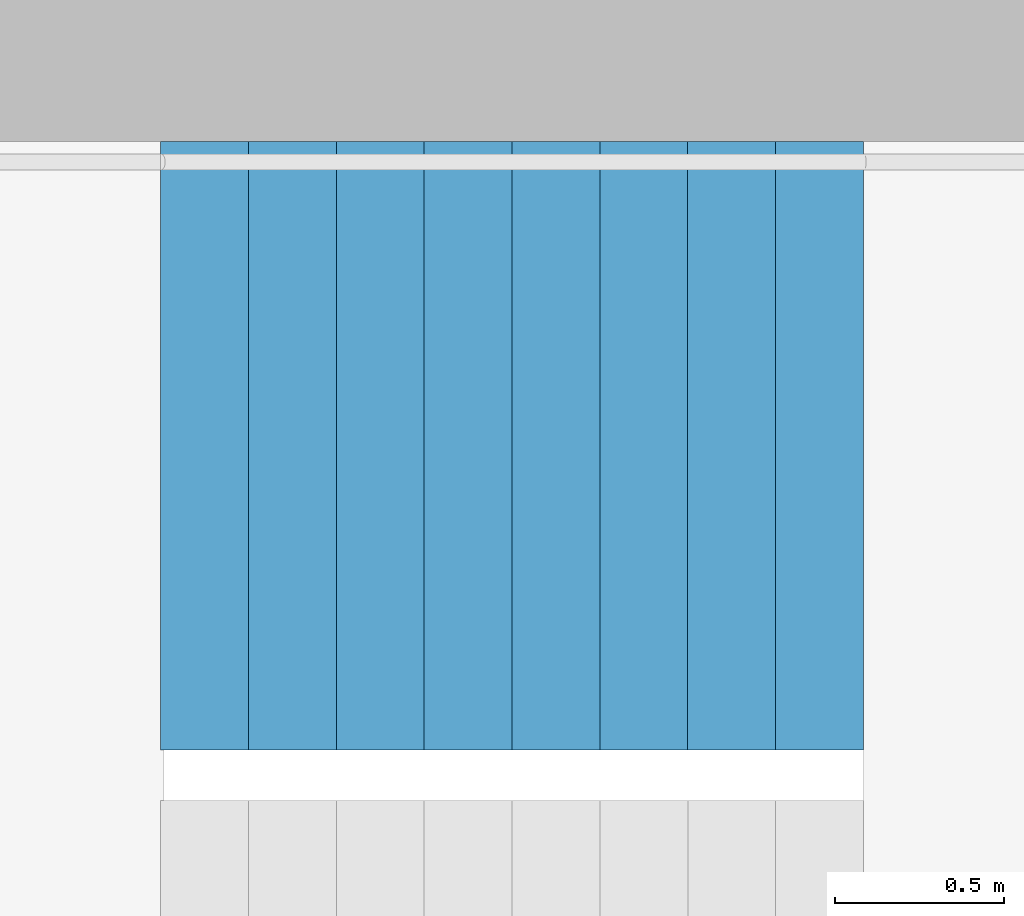
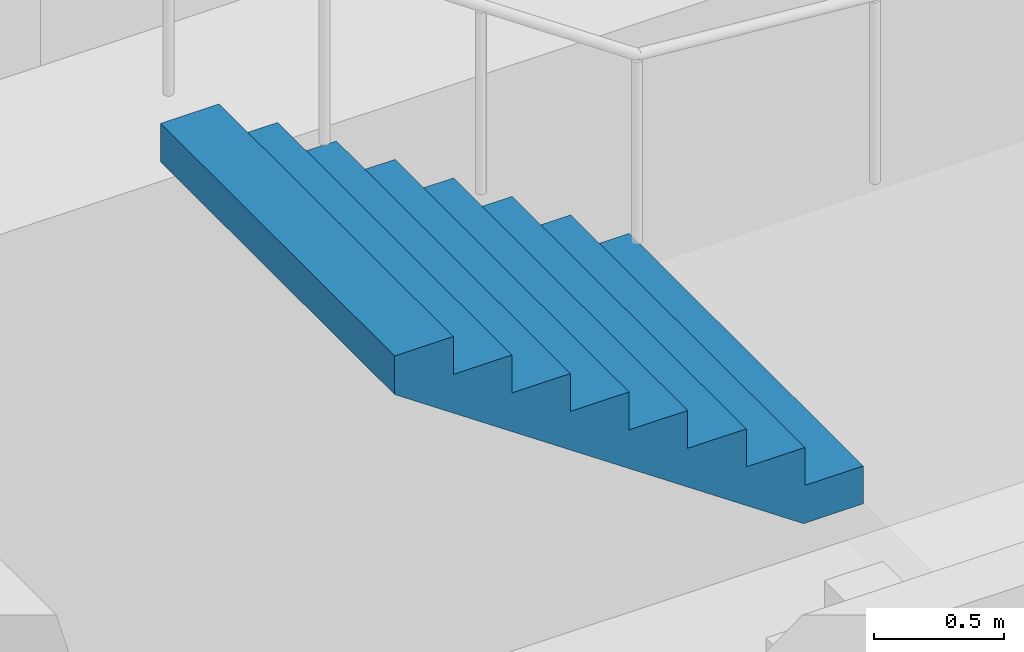
# One storey, part 20 of 25: 1 stair flight, 1 element without a shape of its own.
"""IFC4 building model written with IfcOpenShell, lengths in metres."""

from ifc_helpers import new_model, si_unit, direction, frame, origin, place, context, subcontext, project, spatial, triangles, material, type_object, element, aggregate, save


model = new_model("IFC4")

# Units and contexts
model_context = context("Model", 3, precision=1e-05, world=origin(), true_north=direction((0.0, 1.0)))
body_context = subcontext(model_context, "Body", "Model", "MODEL_VIEW")
ifc_project = project(units=[si_unit("LENGTHUNIT", "METRE"), si_unit("AREAUNIT", "SQUARE_METRE"), si_unit("VOLUMEUNIT", "CUBIC_METRE"), si_unit("PLANEANGLEUNIT", "RADIAN"), si_unit("MASSUNIT", "GRAM", prefix="KILO")], contexts=[model_context])

# Site, building, storey
site_placement = place(None, origin())
site = spatial("IfcSite", under=ifc_project, at=site_placement, CompositionType="ELEMENT")
building_placement = place(site_placement, origin())
building = spatial("IfcBuilding", under=site, at=building_placement, Name="Hakoniwa Tower and Hamabe Station Hall", CompositionType="ELEMENT")
storey_placement = place(building_placement, frame((0.0, 0.0, 147.0)))
storey = spatial("IfcBuildingStorey", under=building, at=storey_placement, Name="L41", CompositionType="ELEMENT", Elevation=147.0)

# Stair, stair flight
ifc_material_1 = material(Name="Concrete C40", Category="concrete")
stair_type = type_object("IfcStairType", Name="ESCAPE STAIR 1800", PredefinedType="HALF_TURN_STAIR", material=ifc_material_1)
stair_placement = place(storey_placement, origin())
stair = element("IfcStair", 1, at=stair_placement, inside=storey, type_object=stair_type, Name="Escape stair ST-1 L41", PredefinedType="HALF_TURN_STAIR")
ifc_material_2 = material(Name="Concrete C40", Category="concrete")
stair_flight_type = type_object("IfcStairFlightType", Name="STAIR FLIGHT 1800", PredefinedType="STRAIGHT", material=ifc_material_2)
stair_flight_placement = place(storey_placement, frame((-22.320068359375, 6.60009765625, 1.60009765625), z_axis=(0.0, 0.0, 1.0), x_axis=(-1.0, 0.0, 0.0)))
stair_flight = element("IfcStairFlight", 2, at=stair_flight_placement, type_object=stair_flight_type, Name="ST-1 flight 2", NumberOfRisers=9, NumberOfTreads=8, PredefinedType="STRAIGHT", RiserHeight=0.177777778, TreadLength=0.26, context=body_context, shape_type="Tessellation", body=[
    triangles([(0.0, 0.89990234375, 0.0), (0.260009765625, 0.89990234375, 0.0), (0.265625, 0.89990234375, 0.0), (0.52001953125, 0.89990234375, 0.174072265625), (0.780029296875, 0.89990234375, 0.351806640625), (1.0400390625, 0.89990234375, 0.529541015625), (1.300048828125, 0.89990234375, 0.707275390625), (1.56005859375, 0.89990234375, 0.885009765625), (1.820068359375, 0.89990234375, 1.062744140625), (2.080078125, 0.89990234375, 1.24072265625), (2.080078125, 0.89990234375, 1.422119140625), (1.820068359375, 0.89990234375, 1.422119140625), (1.820068359375, 0.89990234375, 1.244384765625), (1.56005859375, 0.89990234375, 1.244384765625), (1.56005859375, 0.89990234375, 1.066650390625), (1.300048828125, 0.89990234375, 1.066650390625), (1.300048828125, 0.89990234375, 0.888916015625), (1.0400390625, 0.89990234375, 0.888916015625), (1.0400390625, 0.89990234375, 0.711181640625), (0.780029296875, 0.89990234375, 0.711181640625), (0.780029296875, 0.89990234375, 0.533447265625), (0.52001953125, 0.89990234375, 0.533447265625), (0.52001953125, 0.89990234375, 0.35546875), (0.265625, 0.89990234375, 0.35546875), (0.260009765625, 0.89990234375, 0.35546875), (0.260009765625, 0.89990234375, 0.177734375), (0.0, 0.89990234375, 0.177734375), (0.0, 0.06005859375, 0.0), (0.260009765625, 0.06005859375, 0.0), (0.265625, 0.06005859375, 0.0), (0.52001953125, 0.06005859375, 0.174072265625), (0.780029296875, 0.06005859375, 0.351806640625), (1.0400390625, 0.06005859375, 0.529541015625), (1.300048828125, 0.06005859375, 0.707275390625), (1.56005859375, 0.06005859375, 0.885009765625), (1.820068359375, 0.06005859375, 1.062744140625), (2.080078125, 0.06005859375, 1.24072265625), (2.080078125, 0.06005859375, 1.422119140625), (1.820068359375, 0.06005859375, 1.422119140625), (1.820068359375, 0.06005859375, 1.244384765625), (1.56005859375, 0.06005859375, 1.244384765625), (1.56005859375, 0.06005859375, 1.066650390625), (1.300048828125, 0.06005859375, 1.066650390625), (1.300048828125, 0.06005859375, 0.888916015625), (1.0400390625, 0.06005859375, 0.888916015625), (1.0400390625, 0.06005859375, 0.711181640625), (0.780029296875, 0.06005859375, 0.711181640625), (0.780029296875, 0.06005859375, 0.533447265625), (0.52001953125, 0.06005859375, 0.533447265625), (0.52001953125, 0.06005859375, 0.35546875), (0.265625, 0.06005859375, 0.35546875), (0.260009765625, 0.06005859375, 0.35546875), (0.260009765625, 0.06005859375, 0.177734375), (0.0, 0.06005859375, 0.177734375), (0.0, 0.04296875, 0.0), (0.260009765625, 0.04296875, 0.0), (0.265625, 0.04296875, 0.0), (0.52001953125, 0.04296875, 0.174072265625), (0.780029296875, 0.04296875, 0.351806640625), (1.0400390625, 0.04296875, 0.529541015625), (1.300048828125, 0.04296875, 0.707275390625), (1.56005859375, 0.04296875, 0.885009765625), (1.820068359375, 0.04296875, 1.062744140625), (2.080078125, 0.04296875, 1.24072265625), (2.080078125, 0.04296875, 1.422119140625), (1.820068359375, 0.04296875, 1.422119140625), (1.820068359375, 0.04296875, 1.244384765625), (1.56005859375, 0.04296875, 1.244384765625), (1.56005859375, 0.04296875, 1.066650390625), (1.300048828125, 0.04296875, 1.066650390625), (1.300048828125, 0.04296875, 0.888916015625), (1.0400390625, 0.04296875, 0.888916015625), (1.0400390625, 0.04296875, 0.711181640625), (0.780029296875, 0.04296875, 0.711181640625), (0.780029296875, 0.04296875, 0.533447265625), (0.52001953125, 0.04296875, 0.533447265625), (0.52001953125, 0.04296875, 0.35546875), (0.265625, 0.04296875, 0.35546875), (0.260009765625, 0.04296875, 0.35546875), (0.260009765625, 0.04296875, 0.177734375), (0.0, 0.04296875, 0.177734375), (0.0, 0.025634765625, 0.0), (0.260009765625, 0.025634765625, 0.0), (0.265625, 0.025634765625, 0.0), (0.52001953125, 0.025634765625, 0.174072265625), (0.780029296875, 0.025634765625, 0.351806640625), (1.0400390625, 0.025634765625, 0.529541015625), (1.300048828125, 0.025634765625, 0.707275390625), (1.56005859375, 0.025634765625, 0.885009765625), (1.820068359375, 0.025634765625, 1.062744140625), (2.080078125, 0.025634765625, 1.24072265625), (2.080078125, 0.025634765625, 1.422119140625), (1.820068359375, 0.025634765625, 1.422119140625), (1.820068359375, 0.025634765625, 1.244384765625), (1.56005859375, 0.025634765625, 1.244384765625), (1.56005859375, 0.025634765625, 1.066650390625), (1.300048828125, 0.025634765625, 1.066650390625), (1.300048828125, 0.025634765625, 0.888916015625), (1.0400390625, 0.025634765625, 0.888916015625), (1.0400390625, 0.025634765625, 0.711181640625), (0.780029296875, 0.025634765625, 0.711181640625), (0.780029296875, 0.025634765625, 0.533447265625), (0.52001953125, 0.025634765625, 0.533447265625), (0.52001953125, 0.025634765625, 0.35546875), (0.265625, 0.025634765625, 0.35546875), (0.260009765625, 0.025634765625, 0.35546875), (0.260009765625, 0.025634765625, 0.177734375), (0.0, 0.025634765625, 0.177734375), (0.0, 0.008544921875, 0.0), (0.260009765625, 0.008544921875, 0.0), (0.265625, 0.008544921875, 0.0), (0.52001953125, 0.008544921875, 0.174072265625), (0.780029296875, 0.008544921875, 0.351806640625), (1.0400390625, 0.008544921875, 0.529541015625), (1.300048828125, 0.008544921875, 0.707275390625), (1.56005859375, 0.008544921875, 0.885009765625), (1.820068359375, 0.008544921875, 1.062744140625), (2.080078125, 0.008544921875, 1.24072265625), (2.080078125, 0.008544921875, 1.422119140625), (1.820068359375, 0.008544921875, 1.422119140625), (1.820068359375, 0.008544921875, 1.244384765625), (1.56005859375, 0.008544921875, 1.244384765625), (1.56005859375, 0.008544921875, 1.066650390625), (1.300048828125, 0.008544921875, 1.066650390625), (1.300048828125, 0.008544921875, 0.888916015625), (1.0400390625, 0.008544921875, 0.888916015625), (1.0400390625, 0.008544921875, 0.711181640625), (0.780029296875, 0.008544921875, 0.711181640625), (0.780029296875, 0.008544921875, 0.533447265625), (0.52001953125, 0.008544921875, 0.533447265625), (0.52001953125, 0.008544921875, 0.35546875), (0.265625, 0.008544921875, 0.35546875), (0.260009765625, 0.008544921875, 0.35546875), (0.260009765625, 0.008544921875, 0.177734375), (0.0, 0.008544921875, 0.177734375), (0.0, -0.008544921875, 0.0), (0.260009765625, -0.008544921875, 0.0), (0.265625, -0.008544921875, 0.0), (0.52001953125, -0.008544921875, 0.174072265625), (0.780029296875, -0.008544921875, 0.351806640625), (1.0400390625, -0.008544921875, 0.529541015625), (1.300048828125, -0.008544921875, 0.707275390625), (1.56005859375, -0.008544921875, 0.885009765625), (1.820068359375, -0.008544921875, 1.062744140625), (2.080078125, -0.008544921875, 1.24072265625), (2.080078125, -0.008544921875, 1.422119140625), (1.820068359375, -0.008544921875, 1.422119140625), (1.820068359375, -0.008544921875, 1.244384765625), (1.56005859375, -0.008544921875, 1.244384765625), (1.56005859375, -0.008544921875, 1.066650390625), (1.300048828125, -0.008544921875, 1.066650390625), (1.300048828125, -0.008544921875, 0.888916015625), (1.0400390625, -0.008544921875, 0.888916015625), (1.0400390625, -0.008544921875, 0.711181640625), (0.780029296875, -0.008544921875, 0.711181640625), (0.780029296875, -0.008544921875, 0.533447265625), (0.52001953125, -0.008544921875, 0.533447265625), (0.52001953125, -0.008544921875, 0.35546875), (0.265625, -0.008544921875, 0.35546875), (0.260009765625, -0.008544921875, 0.35546875), (0.260009765625, -0.008544921875, 0.177734375), (0.0, -0.008544921875, 0.177734375), (0.0, -0.025634765625, 0.0), (0.260009765625, -0.025634765625, 0.0), (0.265625, -0.025634765625, 0.0), (0.52001953125, -0.025634765625, 0.174072265625), (0.780029296875, -0.025634765625, 0.351806640625), (1.0400390625, -0.025634765625, 0.529541015625), (1.300048828125, -0.025634765625, 0.707275390625), (1.56005859375, -0.025634765625, 0.885009765625), (1.820068359375, -0.025634765625, 1.062744140625), (2.080078125, -0.025634765625, 1.24072265625), (2.080078125, -0.025634765625, 1.422119140625), (1.820068359375, -0.025634765625, 1.422119140625), (1.820068359375, -0.025634765625, 1.244384765625), (1.56005859375, -0.025634765625, 1.244384765625), (1.56005859375, -0.025634765625, 1.066650390625), (1.300048828125, -0.025634765625, 1.066650390625), (1.300048828125, -0.025634765625, 0.888916015625), (1.0400390625, -0.025634765625, 0.888916015625), (1.0400390625, -0.025634765625, 0.711181640625), (0.780029296875, -0.025634765625, 0.711181640625), (0.780029296875, -0.025634765625, 0.533447265625), (0.52001953125, -0.025634765625, 0.533447265625), (0.52001953125, -0.025634765625, 0.35546875), (0.265625, -0.025634765625, 0.35546875), (0.260009765625, -0.025634765625, 0.35546875), (0.260009765625, -0.025634765625, 0.177734375), (0.0, -0.025634765625, 0.177734375), (0.0, -0.04296875, 0.0), (0.260009765625, -0.04296875, 0.0), (0.265625, -0.04296875, 0.0), (0.52001953125, -0.04296875, 0.174072265625), (0.780029296875, -0.04296875, 0.351806640625), (1.0400390625, -0.04296875, 0.529541015625), (1.300048828125, -0.04296875, 0.707275390625), (1.56005859375, -0.04296875, 0.885009765625), (1.820068359375, -0.04296875, 1.062744140625), (2.080078125, -0.04296875, 1.24072265625), (2.080078125, -0.04296875, 1.422119140625), (1.820068359375, -0.04296875, 1.422119140625), (1.820068359375, -0.04296875, 1.244384765625), (1.56005859375, -0.04296875, 1.244384765625), (1.56005859375, -0.04296875, 1.066650390625), (1.300048828125, -0.04296875, 1.066650390625), (1.300048828125, -0.04296875, 0.888916015625), (1.0400390625, -0.04296875, 0.888916015625), (1.0400390625, -0.04296875, 0.711181640625), (0.780029296875, -0.04296875, 0.711181640625), (0.780029296875, -0.04296875, 0.533447265625), (0.52001953125, -0.04296875, 0.533447265625), (0.52001953125, -0.04296875, 0.35546875), (0.265625, -0.04296875, 0.35546875), (0.260009765625, -0.04296875, 0.35546875), (0.260009765625, -0.04296875, 0.177734375), (0.0, -0.04296875, 0.177734375), (0.0, -0.06005859375, 0.0), (0.260009765625, -0.06005859375, 0.0), (0.265625, -0.06005859375, 0.0), (0.52001953125, -0.06005859375, 0.174072265625), (0.780029296875, -0.06005859375, 0.351806640625), (1.0400390625, -0.06005859375, 0.529541015625), (1.300048828125, -0.06005859375, 0.707275390625), (1.56005859375, -0.06005859375, 0.885009765625), (1.820068359375, -0.06005859375, 1.062744140625), (2.080078125, -0.06005859375, 1.24072265625), (2.080078125, -0.06005859375, 1.422119140625), (1.820068359375, -0.06005859375, 1.422119140625), (1.820068359375, -0.06005859375, 1.244384765625), (1.56005859375, -0.06005859375, 1.244384765625), (1.56005859375, -0.06005859375, 1.066650390625), (1.300048828125, -0.06005859375, 1.066650390625), (1.300048828125, -0.06005859375, 0.888916015625), (1.0400390625, -0.06005859375, 0.888916015625), (1.0400390625, -0.06005859375, 0.711181640625), (0.780029296875, -0.06005859375, 0.711181640625), (0.780029296875, -0.06005859375, 0.533447265625), (0.52001953125, -0.06005859375, 0.533447265625), (0.52001953125, -0.06005859375, 0.35546875), (0.265625, -0.06005859375, 0.35546875), (0.260009765625, -0.06005859375, 0.35546875), (0.260009765625, -0.06005859375, 0.177734375), (0.0, -0.06005859375, 0.177734375), (0.0, -0.89990234375, 0.0), (0.260009765625, -0.89990234375, 0.0), (0.265625, -0.89990234375, 0.0), (0.52001953125, -0.89990234375, 0.174072265625), (0.780029296875, -0.89990234375, 0.351806640625), (1.0400390625, -0.89990234375, 0.529541015625), (1.300048828125, -0.89990234375, 0.707275390625), (1.56005859375, -0.89990234375, 0.885009765625), (1.820068359375, -0.89990234375, 1.062744140625), (2.080078125, -0.89990234375, 1.24072265625), (2.080078125, -0.89990234375, 1.422119140625), (1.820068359375, -0.89990234375, 1.422119140625), (1.820068359375, -0.89990234375, 1.244384765625), (1.56005859375, -0.89990234375, 1.244384765625), (1.56005859375, -0.89990234375, 1.066650390625), (1.300048828125, -0.89990234375, 1.066650390625), (1.300048828125, -0.89990234375, 0.888916015625), (1.0400390625, -0.89990234375, 0.888916015625), (1.0400390625, -0.89990234375, 0.711181640625), (0.780029296875, -0.89990234375, 0.711181640625), (0.780029296875, -0.89990234375, 0.533447265625), (0.52001953125, -0.89990234375, 0.533447265625), (0.52001953125, -0.89990234375, 0.35546875), (0.265625, -0.89990234375, 0.35546875), (0.260009765625, -0.89990234375, 0.35546875), (0.260009765625, -0.89990234375, 0.177734375), (0.0, -0.89990234375, 0.177734375)], [[2, 27, 26], [245, 269, 270], [2, 1, 27], [245, 270, 244], [3, 25, 24], [246, 267, 268], [3, 26, 25], [246, 268, 269], [3, 2, 26], [246, 269, 245], [4, 24, 23], [247, 266, 267], [4, 3, 24], [247, 267, 246], [5, 22, 21], [248, 264, 265], [5, 23, 22], [248, 265, 266], [5, 4, 23], [248, 266, 247], [6, 20, 19], [249, 262, 263], [6, 21, 20], [249, 263, 264], [6, 5, 21], [249, 264, 248], [7, 18, 17], [250, 260, 261], [7, 19, 18], [250, 261, 262], [7, 6, 19], [250, 262, 249], [8, 16, 15], [251, 258, 259], [8, 17, 16], [251, 259, 260], [8, 7, 17], [251, 260, 250], [9, 14, 13], [252, 256, 257], [9, 15, 14], [252, 257, 258], [9, 8, 15], [252, 258, 251], [10, 12, 11], [253, 254, 255], [10, 13, 12], [253, 255, 256], [10, 9, 13], [253, 256, 252], [1, 2, 29], [1, 29, 28], [28, 29, 56], [28, 56, 55], [55, 56, 83], [55, 83, 82], [82, 83, 110], [82, 110, 109], [109, 110, 137], [109, 137, 136], [136, 137, 164], [136, 164, 163], [163, 164, 191], [163, 191, 190], [190, 191, 218], [190, 218, 217], [217, 218, 245], [217, 245, 244], [2, 3, 30], [2, 30, 29], [29, 30, 57], [29, 57, 56], [56, 57, 84], [56, 84, 83], [83, 84, 111], [83, 111, 110], [110, 111, 138], [110, 138, 137], [137, 138, 165], [137, 165, 164], [164, 165, 192], [164, 192, 191], [191, 192, 219], [191, 219, 218], [218, 219, 246], [218, 246, 245], [3, 4, 31], [3, 31, 30], [30, 31, 58], [30, 58, 57], [57, 58, 85], [57, 85, 84], [84, 85, 112], [84, 112, 111], [111, 112, 139], [111, 139, 138], [138, 139, 166], [138, 166, 165], [165, 166, 193], [165, 193, 192], [192, 193, 220], [192, 220, 219], [219, 220, 247], [219, 247, 246], [4, 5, 32], [4, 32, 31], [31, 32, 59], [31, 59, 58], [58, 59, 86], [58, 86, 85], [85, 86, 113], [85, 113, 112], [112, 113, 140], [112, 140, 139], [139, 140, 167], [139, 167, 166], [166, 167, 194], [166, 194, 193], [193, 194, 221], [193, 221, 220], [220, 221, 248], [220, 248, 247], [5, 6, 33], [5, 33, 32], [32, 33, 60], [32, 60, 59], [59, 60, 87], [59, 87, 86], [86, 87, 114], [86, 114, 113], [113, 114, 141], [113, 141, 140], [140, 141, 168], [140, 168, 167], [167, 168, 195], [167, 195, 194], [194, 195, 222], [194, 222, 221], [221, 222, 249], [221, 249, 248], [6, 7, 34], [6, 34, 33], [33, 34, 61], [33, 61, 60], [60, 61, 88], [60, 88, 87], [87, 88, 115], [87, 115, 114], [114, 115, 142], [114, 142, 141], [141, 142, 169], [141, 169, 168], [168, 169, 196], [168, 196, 195], [195, 196, 223], [195, 223, 222], [222, 223, 250], [222, 250, 249], [7, 8, 35], [7, 35, 34], [34, 35, 62], [34, 62, 61], [61, 62, 89], [61, 89, 88], [88, 89, 116], [88, 116, 115], [115, 116, 143], [115, 143, 142], [142, 143, 170], [142, 170, 169], [169, 170, 197], [169, 197, 196], [196, 197, 224], [196, 224, 223], [223, 224, 251], [223, 251, 250], [8, 9, 36], [8, 36, 35], [35, 36, 63], [35, 63, 62], [62, 63, 90], [62, 90, 89], [89, 90, 117], [89, 117, 116], [116, 117, 144], [116, 144, 143], [143, 144, 171], [143, 171, 170], [170, 171, 198], [170, 198, 197], [197, 198, 225], [197, 225, 224], [224, 225, 252], [224, 252, 251], [9, 10, 37], [9, 37, 36], [36, 37, 64], [36, 64, 63], [63, 64, 91], [63, 91, 90], [90, 91, 118], [90, 118, 117], [117, 118, 145], [117, 145, 144], [144, 145, 172], [144, 172, 171], [171, 172, 199], [171, 199, 198], [198, 199, 226], [198, 226, 225], [225, 226, 253], [225, 253, 252], [10, 11, 38], [10, 38, 37], [37, 38, 65], [37, 65, 64], [64, 65, 92], [64, 92, 91], [91, 92, 119], [91, 119, 118], [118, 119, 146], [118, 146, 145], [145, 146, 173], [145, 173, 172], [172, 173, 200], [172, 200, 199], [199, 200, 227], [199, 227, 226], [226, 227, 254], [226, 254, 253], [11, 12, 39], [11, 39, 38], [38, 39, 66], [38, 66, 65], [65, 66, 93], [65, 93, 92], [92, 93, 120], [92, 120, 119], [119, 120, 147], [119, 147, 146], [146, 147, 174], [146, 174, 173], [173, 174, 201], [173, 201, 200], [200, 201, 228], [200, 228, 227], [227, 228, 255], [227, 255, 254], [12, 13, 40], [12, 40, 39], [39, 40, 67], [39, 67, 66], [66, 67, 94], [66, 94, 93], [93, 94, 121], [93, 121, 120], [120, 121, 148], [120, 148, 147], [147, 148, 175], [147, 175, 174], [174, 175, 202], [174, 202, 201], [201, 202, 229], [201, 229, 228], [228, 229, 256], [228, 256, 255], [13, 14, 41], [13, 41, 40], [40, 41, 68], [40, 68, 67], [67, 68, 95], [67, 95, 94], [94, 95, 122], [94, 122, 121], [121, 122, 149], [121, 149, 148], [148, 149, 176], [148, 176, 175], [175, 176, 203], [175, 203, 202], [202, 203, 230], [202, 230, 229], [229, 230, 257], [229, 257, 256], [14, 15, 42], [14, 42, 41], [41, 42, 69], [41, 69, 68], [68, 69, 96], [68, 96, 95], [95, 96, 123], [95, 123, 122], [122, 123, 150], [122, 150, 149], [149, 150, 177], [149, 177, 176], [176, 177, 204], [176, 204, 203], [203, 204, 231], [203, 231, 230], [230, 231, 258], [230, 258, 257], [15, 16, 43], [15, 43, 42], [42, 43, 70], [42, 70, 69], [69, 70, 97], [69, 97, 96], [96, 97, 124], [96, 124, 123], [123, 124, 151], [123, 151, 150], [150, 151, 178], [150, 178, 177], [177, 178, 205], [177, 205, 204], [204, 205, 232], [204, 232, 231], [231, 232, 259], [231, 259, 258], [16, 17, 44], [16, 44, 43], [43, 44, 71], [43, 71, 70], [70, 71, 98], [70, 98, 97], [97, 98, 125], [97, 125, 124], [124, 125, 152], [124, 152, 151], [151, 152, 179], [151, 179, 178], [178, 179, 206], [178, 206, 205], [205, 206, 233], [205, 233, 232], [232, 233, 260], [232, 260, 259], [17, 18, 45], [17, 45, 44], [44, 45, 72], [44, 72, 71], [71, 72, 99], [71, 99, 98], [98, 99, 126], [98, 126, 125], [125, 126, 153], [125, 153, 152], [152, 153, 180], [152, 180, 179], [179, 180, 207], [179, 207, 206], [206, 207, 234], [206, 234, 233], [233, 234, 261], [233, 261, 260], [18, 19, 46], [18, 46, 45], [45, 46, 73], [45, 73, 72], [72, 73, 100], [72, 100, 99], [99, 100, 127], [99, 127, 126], [126, 127, 154], [126, 154, 153], [153, 154, 181], [153, 181, 180], [180, 181, 208], [180, 208, 207], [207, 208, 235], [207, 235, 234], [234, 235, 262], [234, 262, 261], [19, 20, 47], [19, 47, 46], [46, 47, 74], [46, 74, 73], [73, 74, 101], [73, 101, 100], [100, 101, 128], [100, 128, 127], [127, 128, 155], [127, 155, 154], [154, 155, 182], [154, 182, 181], [181, 182, 209], [181, 209, 208], [208, 209, 236], [208, 236, 235], [235, 236, 263], [235, 263, 262], [20, 21, 48], [20, 48, 47], [47, 48, 75], [47, 75, 74], [74, 75, 102], [74, 102, 101], [101, 102, 129], [101, 129, 128], [128, 129, 156], [128, 156, 155], [155, 156, 183], [155, 183, 182], [182, 183, 210], [182, 210, 209], [209, 210, 237], [209, 237, 236], [236, 237, 264], [236, 264, 263], [21, 22, 49], [21, 49, 48], [48, 49, 76], [48, 76, 75], [75, 76, 103], [75, 103, 102], [102, 103, 130], [102, 130, 129], [129, 130, 157], [129, 157, 156], [156, 157, 184], [156, 184, 183], [183, 184, 211], [183, 211, 210], [210, 211, 238], [210, 238, 237], [237, 238, 265], [237, 265, 264], [22, 23, 50], [22, 50, 49], [49, 50, 77], [49, 77, 76], [76, 77, 104], [76, 104, 103], [103, 104, 131], [103, 131, 130], [130, 131, 158], [130, 158, 157], [157, 158, 185], [157, 185, 184], [184, 185, 212], [184, 212, 211], [211, 212, 239], [211, 239, 238], [238, 239, 266], [238, 266, 265], [23, 24, 51], [23, 51, 50], [50, 51, 78], [50, 78, 77], [77, 78, 105], [77, 105, 104], [104, 105, 132], [104, 132, 131], [131, 132, 159], [131, 159, 158], [158, 159, 186], [158, 186, 185], [185, 186, 213], [185, 213, 212], [212, 213, 240], [212, 240, 239], [239, 240, 267], [239, 267, 266], [24, 25, 52], [24, 52, 51], [51, 52, 79], [51, 79, 78], [78, 79, 106], [78, 106, 105], [105, 106, 133], [105, 133, 132], [132, 133, 160], [132, 160, 159], [159, 160, 187], [159, 187, 186], [186, 187, 214], [186, 214, 213], [213, 214, 241], [213, 241, 240], [240, 241, 268], [240, 268, 267], [25, 26, 53], [25, 53, 52], [52, 53, 80], [52, 80, 79], [79, 80, 107], [79, 107, 106], [106, 107, 134], [106, 134, 133], [133, 134, 161], [133, 161, 160], [160, 161, 188], [160, 188, 187], [187, 188, 215], [187, 215, 214], [214, 215, 242], [214, 242, 241], [241, 242, 269], [241, 269, 268], [26, 27, 54], [26, 54, 53], [53, 54, 81], [53, 81, 80], [80, 81, 108], [80, 108, 107], [107, 108, 135], [107, 135, 134], [134, 135, 162], [134, 162, 161], [161, 162, 189], [161, 189, 188], [188, 189, 216], [188, 216, 215], [215, 216, 243], [215, 243, 242], [242, 243, 270], [242, 270, 269], [27, 1, 28], [27, 28, 54], [54, 28, 55], [54, 55, 81], [81, 55, 82], [81, 82, 108], [108, 82, 109], [108, 109, 135], [135, 109, 136], [135, 136, 162], [162, 136, 163], [162, 163, 189], [189, 163, 190], [189, 190, 216], [216, 190, 217], [216, 217, 243], [243, 217, 244], [243, 244, 270]], closed=True),
])
aggregate(stair, [stair_flight])

save(model, "model.ifc")
